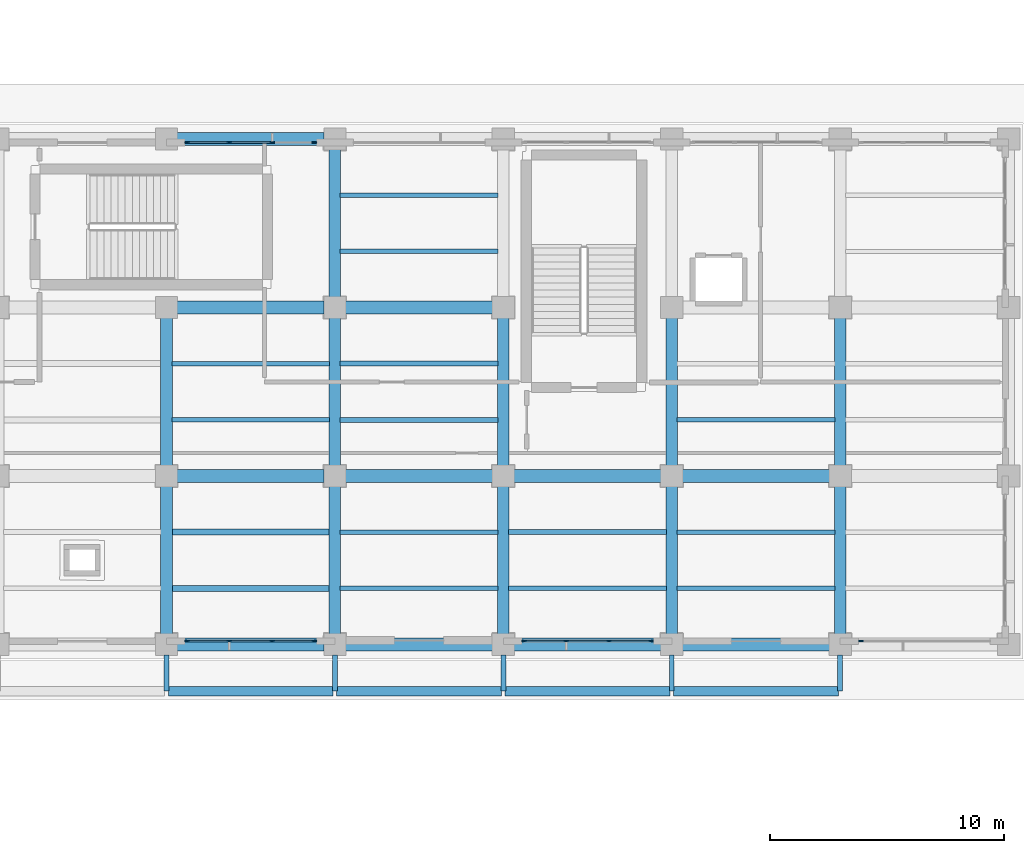
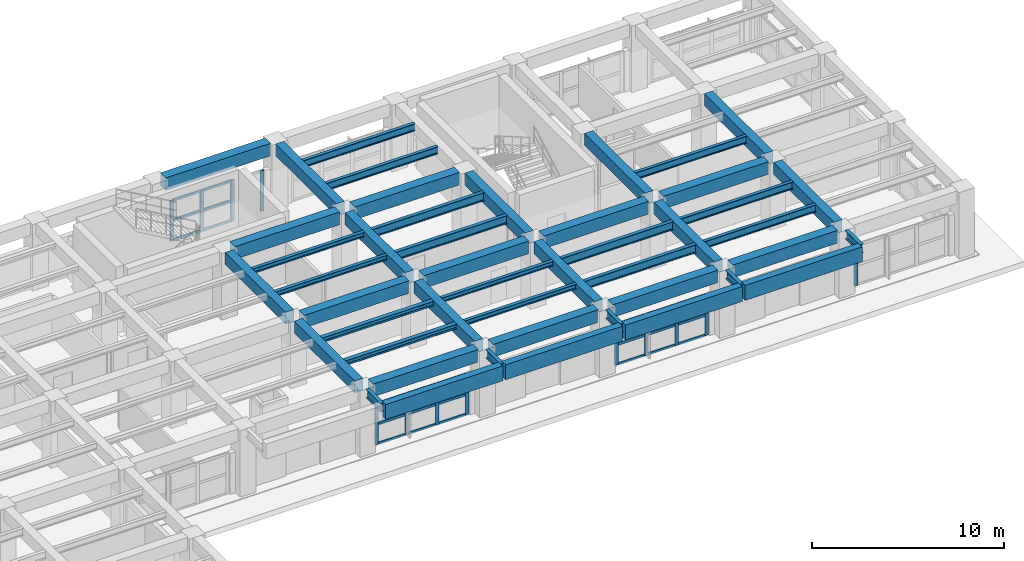
# One storey, part 26 of 64: 46 beams, 37 members, 4 elements without a shape of their own.
"""IFC4 building model written with IfcOpenShell, lengths in metres."""

from ifc_helpers import new_model, si_unit, direction, frame, origin, origin_2d, place, context, subcontext, project, spatial, rectangle, i_section, extrude, material, layer, layer_set, material_profile, profile_set, type_object, element, aggregate, save


model = new_model("IFC4")

# Units and contexts
model_context = context("Model", 3, precision=1e-05, world=origin(), true_north=direction((0.0, 1.0)))
body_context = subcontext(model_context, "Body", "Model", "MODEL_VIEW")
ifc_project = project(units=[si_unit("LENGTHUNIT", "METRE"), si_unit("AREAUNIT", "SQUARE_METRE"), si_unit("VOLUMEUNIT", "CUBIC_METRE"), si_unit("PLANEANGLEUNIT", "RADIAN"), si_unit("MASSUNIT", "GRAM", prefix="KILO")], contexts=[model_context])

# Site, building, storey
site_placement = place(None, origin())
site = spatial("IfcSite", under=ifc_project, at=site_placement, CompositionType="ELEMENT")
building_placement = place(site_placement, origin())
building = spatial("IfcBuilding", under=site, at=building_placement, Name="Solenvale Faculty of Natural Sciences", CompositionType="ELEMENT")
storey_placement = place(building_placement, origin())
storey = spatial("IfcBuildingStorey", under=building, at=storey_placement, Name="L00", CompositionType="ELEMENT", Elevation=0.0)

# Beams
ifc_material_1 = material(Name="Concrete 40 MPa", Category="concrete")
ifc_material_profile_1 = material_profile(ifc_material_1, rectangle(XDim=0.5, YDim=0.75, at=origin_2d()), Name="RC-BM-500x750")
ifc_profile_set_1 = profile_set([ifc_material_profile_1], Name="Concrete 40 MPa")
beam_type_1 = type_object("IfcBeamType", Name="BM-RC-500x750", PredefinedType="BEAM", material=ifc_profile_set_1)
for number, where, z_axis, x_axis, name in (
    (1, (129.60009765625, 36.455078125, 3.844970703125), (0.0, 1.0, 0.0), (-1.0, 0.0, 0.0), "L00 Y-Girder X129.6 (36.0..43.2)"),
    (2, (129.60009765625, 43.655029296875, 3.844970703125), (0.0, 1.0, 0.0), (-1.0, 0.0, 0.0), "L00 Y-Girder X129.6 (43.2..50.4)"),
    (3, (136.800048828125, 36.455078125, 3.844970703125), (0.0, 1.0, 0.0), (-1.0, 0.0, 0.0), "L00 Y-Girder X136.8 (36.0..43.2)"),
    (4, (136.800048828125, 43.655029296875, 3.844970703125), (0.0, 1.0, 0.0), (-1.0, 0.0, 0.0), "L00 Y-Girder X136.8 (43.2..50.4)"),
    (5, (136.800048828125, 50.85498046875, 3.844970703125), (0.0, 1.0, 0.0), (-1.0, 0.0, 0.0), "L00 Y-Girder X136.8 (50.4..57.6)"),
    (6, (144.0, 36.455078125, 3.844970703125), (0.0, 1.0, 0.0), (-1.0, 0.0, 0.0), "L00 Y-Girder X144.0 (36.0..43.2)"),
    (7, (144.0, 43.655029296875, 3.844970703125), (0.0, 1.0, 0.0), (-1.0, 0.0, 0.0), "L00 Y-Girder X144.0 (43.2..50.4)"),
    (8, (151.199951171875, 36.455078125, 3.844970703125), (0.0, 1.0, 0.0), (-1.0, 0.0, 0.0), "L00 Y-Girder X151.2 (36.0..43.2)"),
    (9, (151.199951171875, 43.655029296875, 3.844970703125), (0.0, 1.0, 0.0), (-1.0, 0.0, 0.0), "L00 Y-Girder X151.2 (43.2..50.4)"),
    (10, (158.39990234375, 36.455078125, 3.844970703125), (0.0, 1.0, 0.0), (-1.0, 0.0, 0.0), "L00 Y-Girder X158.4 (36.0..43.2)"),
    (11, (158.39990234375, 43.655029296875, 3.844970703125), (0.0, 1.0, 0.0), (-1.0, 0.0, 0.0), "L00 Y-Girder X158.4 (43.2..50.4)"),
):
    element("IfcBeam", number, at=place(storey_placement, frame(where, z_axis=z_axis, x_axis=x_axis)), inside=storey, type_object=beam_type_1, Name=name, PredefinedType="BEAM", context=body_context, shape_type="SweptSolid", body=[
        extrude(rectangle(XDim=0.5, YDim=0.75, at=origin_2d()), origin(), (0.0, 0.0, 1.0), 6.2900390625),
    ])
ifc_material_profile_2 = material_profile(ifc_material_1, rectangle(XDim=0.550048828125, YDim=0.800048828125, at=origin_2d()), Name="RC-BM-550x800")
ifc_profile_set_2 = profile_set([ifc_material_profile_2], Name="Concrete 40 MPa")
beam_type_2 = type_object("IfcBeamType", Name="BM-RC-550x800", PredefinedType="BEAM", material=ifc_profile_set_2)
for number, where, z_axis, x_axis, name in (
    (12, (130.054931640625, 36.0, 3.820068359375), (1.0, 0.0, 0.0), (0.0, 1.0, 0.0), "L00 X-Girder Y36.0 (129.6..136.8)"),
    (13, (137.2548828125, 36.0, 3.820068359375), (1.0, 0.0, 0.0), (0.0, 1.0, 0.0), "L00 X-Girder Y36.0 (136.8..144.0)"),
    (14, (144.455078125, 36.0, 3.820068359375), (1.0, 0.0, 0.0), (0.0, 1.0, 0.0), "L00 X-Girder Y36.0 (144.0..151.2)"),
    (15, (151.655029296875, 36.0, 3.820068359375), (1.0, 0.0, 0.0), (0.0, 1.0, 0.0), "L00 X-Girder Y36.0 (151.2..158.4)"),
    (16, (130.054931640625, 43.199951171875, 3.820068359375), (1.0, 0.0, 0.0), (0.0, 1.0, 0.0), "L00 X-Girder Y43.2 (129.6..136.8)"),
    (17, (137.2548828125, 43.199951171875, 3.820068359375), (1.0, 0.0, 0.0), (0.0, 1.0, 0.0), "L00 X-Girder Y43.2 (136.8..144.0)"),
    (18, (144.455078125, 43.199951171875, 3.820068359375), (1.0, 0.0, 0.0), (0.0, 1.0, 0.0), "L00 X-Girder Y43.2 (144.0..151.2)"),
    (19, (151.655029296875, 43.199951171875, 3.820068359375), (1.0, 0.0, 0.0), (0.0, 1.0, 0.0), "L00 X-Girder Y43.2 (151.2..158.4)"),
    (20, (130.054931640625, 50.39990234375, 3.820068359375), (1.0, 0.0, 0.0), (0.0, 1.0, 0.0), "L00 X-Girder Y50.4 (129.6..136.8)"),
    (21, (137.2548828125, 50.39990234375, 3.820068359375), (1.0, 0.0, 0.0), (0.0, 1.0, 0.0), "L00 X-Girder Y50.4 (136.8..144.0)"),
    (22, (130.054931640625, 57.60009765625, 3.820068359375), (1.0, 0.0, 0.0), (0.0, 1.0, 0.0), "L00 X-Girder Y57.6 (129.6..136.8)"),
):
    element("IfcBeam", number, at=place(storey_placement, frame(where, z_axis=z_axis, x_axis=x_axis)), inside=storey, type_object=beam_type_2, Name=name, PredefinedType="BEAM", context=body_context, shape_type="SweptSolid", body=[
        extrude(rectangle(XDim=0.550048828125, YDim=0.800048828125, at=origin_2d()), origin(), (0.0, 0.0, 1.0), 6.2900390625),
    ])
ifc_material_2 = material(Name="Architectural bronze concrete 40 MPa", Category="concrete")
ifc_material_profile_3 = material_profile(ifc_material_2, rectangle(XDim=0.39990234375, YDim=0.949951171875, at=origin_2d()), Name="RC-SPN-400x950")
ifc_profile_set_3 = profile_set([ifc_material_profile_3], Name="Architectural bronze concrete 40 MPa")
beam_type_3 = type_object("IfcBeamType", Name="BM-SPN-BRZ-950", PredefinedType="SPANDREL", material=ifc_profile_set_3)
for number, where, z_axis, x_axis, name in (
    (23, (129.679931640625, 34.0, 3.7451171875), (1.0, 0.0, 0.0), (0.0, 1.0, 0.0), "L01 Commons Sliding-Tray South Bronze Fascia 2"),
    (24, (136.8798828125, 34.0, 3.7451171875), (1.0, 0.0, 0.0), (0.0, 1.0, 0.0), "L01 Commons Sliding-Tray South Bronze Fascia 3"),
    (25, (144.080078125, 34.0, 3.7451171875), (1.0, 0.0, 0.0), (0.0, 1.0, 0.0), "L01 Commons Sliding-Tray South Bronze Fascia 4"),
    (26, (151.280029296875, 34.0, 3.7451171875), (1.0, 0.0, 0.0), (0.0, 1.0, 0.0), "L01 Commons Sliding-Tray South Bronze Fascia 5"),
):
    element("IfcBeam", number, at=place(storey_placement, frame(where, z_axis=z_axis, x_axis=x_axis)), inside=storey, type_object=beam_type_3, Name=name, PredefinedType="SPANDREL", context=body_context, shape_type="SweptSolid", body=[
        extrude(rectangle(XDim=0.39990234375, YDim=0.949951171875, at=origin_2d()), origin(), (0.0, 0.0, 1.0), 7.0400390625),
    ])
ifc_material_3 = material(Name="Steel S355", Category="steel")
ifc_material_profile_4 = material_profile(ifc_material_3, i_section(OverallWidth=0.202880859375, OverallDepth=0.302978515625, WebThickness=0.007568359375, FlangeThickness=0.01318359375, FilletRadius=0.014892578125, at=origin_2d()), Name="W310x60")
ifc_profile_set_4 = profile_set([ifc_material_profile_4], Name="Steel S355")
beam_type_4 = type_object("IfcBeamType", Name="BM-STL-W310x60", PredefinedType="JOIST", material=ifc_profile_set_4)
for number, where, z_axis, x_axis, name in (
    (27, (129.830078125, 45.60009765625, 4.068603515625), (1.0, 0.0, 0.0), (0.0, 1.0, 0.0), "L00 Composite Floor Joist (19,7).1"),
    (28, (129.830078125, 48.0, 4.068603515625), (1.0, 0.0, 0.0), (0.0, 1.0, 0.0), "L00 Composite Floor Joist (19,7).2"),
    (29, (137.030029296875, 38.39990234375, 4.068603515625), (1.0, 0.0, 0.0), (0.0, 1.0, 0.0), "L00 Composite Floor Joist (20,6).1"),
    (30, (137.030029296875, 40.800048828125, 4.068603515625), (1.0, 0.0, 0.0), (0.0, 1.0, 0.0), "L00 Composite Floor Joist (20,6).2"),
):
    element("IfcBeam", number, at=place(storey_placement, frame(where, z_axis=z_axis, x_axis=x_axis)), inside=storey, type_object=beam_type_4, Name=name, PredefinedType="JOIST", context=body_context, shape_type="SweptSolid", body=[
        extrude(i_section(OverallWidth=0.202880859375, OverallDepth=0.302978515625, WebThickness=0.007568359375, FlangeThickness=0.01318359375, FilletRadius=0.014892578125, at=origin_2d()), origin(), (0.0, 0.0, 1.0), 6.739990234375),
    ])
ifc_material_profile_5 = material_profile(ifc_material_3, i_section(OverallWidth=0.25390625, OverallDepth=0.305908203125, WebThickness=0.0087890625, FlangeThickness=0.0146484375, FilletRadius=0.014892578125, at=origin_2d()), Name="W310x79")
ifc_profile_set_5 = profile_set([ifc_material_profile_5], Name="Steel S355")
beam_type_5 = type_object("IfcBeamType", Name="BM-STL-W310x79", PredefinedType="JOIST", material=ifc_profile_set_5)
for number, where, z_axis, x_axis, name in (
    (31, (129.830078125, 38.39990234375, 4.06689453125), (1.0, 0.0, 0.0), (0.0, 1.0, 0.0), "L00 Composite Floor Joist (19,6).1"),
    (32, (129.830078125, 40.800048828125, 4.06689453125), (1.0, 0.0, 0.0), (0.0, 1.0, 0.0), "L00 Composite Floor Joist (19,6).2"),
):
    element("IfcBeam", number, at=place(storey_placement, frame(where, z_axis=z_axis, x_axis=x_axis)), inside=storey, type_object=beam_type_5, Name=name, PredefinedType="JOIST", context=body_context, shape_type="SweptSolid", body=[
        extrude(i_section(OverallWidth=0.25390625, OverallDepth=0.305908203125, WebThickness=0.0087890625, FlangeThickness=0.0146484375, FilletRadius=0.014892578125, at=origin_2d()), origin(), (0.0, 0.0, 1.0), 6.739990234375),
    ])
ifc_material_profile_6 = material_profile(ifc_material_3, i_section(OverallWidth=0.194091796875, OverallDepth=0.468994140625, WebThickness=0.0126953125, FlangeThickness=0.0205078125, FilletRadius=0.01806640625, at=origin_2d()), Name="W460x106")
ifc_profile_set_6 = profile_set([ifc_material_profile_6], Name="Steel S355")
beam_type_6 = type_object("IfcBeamType", Name="BM-STL-W460x106", PredefinedType="JOIST", material=ifc_profile_set_6)
for number, where, z_axis, x_axis, name in (
    (33, (137.030029296875, 52.800048828125, 3.985595703125), (1.0, 0.0, 0.0), (0.0, 1.0, 0.0), "L00 Composite Floor Joist (20,8).1"),
    (34, (137.030029296875, 55.199951171875, 3.985595703125), (1.0, 0.0, 0.0), (0.0, 1.0, 0.0), "L00 Composite Floor Joist (20,8).2"),
    (35, (151.429931640625, 38.39990234375, 3.985595703125), (1.0, 0.0, 0.0), (0.0, 1.0, 0.0), "L00 Composite Floor Joist (22,6).1"),
    (36, (151.429931640625, 40.800048828125, 3.985595703125), (1.0, 0.0, 0.0), (0.0, 1.0, 0.0), "L00 Composite Floor Joist (22,6).2"),
):
    element("IfcBeam", number, at=place(storey_placement, frame(where, z_axis=z_axis, x_axis=x_axis)), inside=storey, type_object=beam_type_6, Name=name, PredefinedType="JOIST", context=body_context, shape_type="SweptSolid", body=[
        extrude(i_section(OverallWidth=0.194091796875, OverallDepth=0.468994140625, WebThickness=0.0126953125, FlangeThickness=0.0205078125, FilletRadius=0.01806640625, at=origin_2d()), origin(), (0.0, 0.0, 1.0), 6.739990234375),
    ])
ifc_material_profile_7 = material_profile(ifc_material_3, i_section(OverallWidth=0.19091796875, OverallDepth=0.4599609375, WebThickness=0.010009765625, FlangeThickness=0.01611328125, FilletRadius=0.01806640625, at=origin_2d()), Name="W460x82")
ifc_profile_set_7 = profile_set([ifc_material_profile_7], Name="Steel S355")
beam_type_7 = type_object("IfcBeamType", Name="BM-STL-W460x82", PredefinedType="JOIST", material=ifc_profile_set_7)
beam_placement = place(storey_placement, frame((151.429931640625, 45.60009765625, 3.989990234375), z_axis=(1.0, 0.0, 0.0), x_axis=(0.0, 1.0, 0.0)))
element("IfcBeam", 37, at=beam_placement, inside=storey, type_object=beam_type_7, Name="L00 Composite Floor Joist (22,7).1", PredefinedType="JOIST", context=body_context, shape_type="SweptSolid", body=[
    extrude(i_section(OverallWidth=0.19091796875, OverallDepth=0.4599609375, WebThickness=0.010009765625, FlangeThickness=0.01611328125, FilletRadius=0.01806640625, at=origin_2d()), origin(), (0.0, 0.0, 1.0), 6.739990234375),
])
ifc_material_profile_8 = material_profile(ifc_material_3, i_section(OverallWidth=0.2119140625, OverallDepth=0.5439453125, WebThickness=0.01318359375, FlangeThickness=0.021240234375, FilletRadius=0.01904296875, at=origin_2d()), Name="W530x123")
ifc_profile_set_8 = profile_set([ifc_material_profile_8], Name="Steel S355")
beam_type_8 = type_object("IfcBeamType", Name="BM-STL-W530x123", PredefinedType="BEAM", material=ifc_profile_set_8)
for number, where, z_axis, x_axis, name in (
    (38, (129.60009765625, 35.544921875, 3.947998046875), (0.0, -1.0, 0.0), (1.0, 0.0, 0.0), "L00 V2 Cantilever Tray Girder X129.6"),
    (39, (136.800048828125, 35.544921875, 3.947998046875), (0.0, -1.0, 0.0), (1.0, 0.0, 0.0), "L00 V2 Cantilever Tray Girder X136.8"),
    (40, (144.0, 35.544921875, 3.947998046875), (0.0, -1.0, 0.0), (1.0, 0.0, 0.0), "L00 V2 Cantilever Tray Girder X144.0"),
    (41, (151.199951171875, 35.544921875, 3.947998046875), (0.0, -1.0, 0.0), (1.0, 0.0, 0.0), "L00 V2 Cantilever Tray Girder X151.2"),
    (42, (158.39990234375, 35.544921875, 3.947998046875), (0.0, -1.0, 0.0), (1.0, 0.0, 0.0), "L00 V2 Cantilever Tray Girder X158.4"),
):
    element("IfcBeam", number, at=place(storey_placement, frame(where, z_axis=z_axis, x_axis=x_axis)), inside=storey, type_object=beam_type_8, Name=name, PredefinedType="BEAM", context=body_context, shape_type="SweptSolid", body=[
        extrude(i_section(OverallWidth=0.2119140625, OverallDepth=0.5439453125, WebThickness=0.01318359375, FlangeThickness=0.021240234375, FilletRadius=0.01904296875, at=origin_2d()), origin(), (0.0, 0.0, 1.0), 1.544921875),
    ])
ifc_material_profile_9 = material_profile(ifc_material_3, i_section(OverallWidth=0.208984375, OverallDepth=0.532958984375, WebThickness=0.01025390625, FlangeThickness=0.015625, FilletRadius=0.01904296875, at=origin_2d()), Name="W530x92")
ifc_profile_set_9 = profile_set([ifc_material_profile_9], Name="Steel S355")
beam_type_9 = type_object("IfcBeamType", Name="BM-STL-W530x92", PredefinedType="JOIST", material=ifc_profile_set_9)
for number, where, z_axis, x_axis, name in (
    (43, (137.030029296875, 45.60009765625, 3.95361328125), (1.0, 0.0, 0.0), (0.0, 1.0, 0.0), "L00 Composite Floor Joist (20,7).1"),
    (44, (137.030029296875, 48.0, 3.95361328125), (1.0, 0.0, 0.0), (0.0, 1.0, 0.0), "L00 Composite Floor Joist (20,7).2"),
    (45, (144.22998046875, 38.39990234375, 3.95361328125), (1.0, 0.0, 0.0), (0.0, 1.0, 0.0), "L00 Composite Floor Joist (21,6).1"),
    (46, (144.22998046875, 40.800048828125, 3.95361328125), (1.0, 0.0, 0.0), (0.0, 1.0, 0.0), "L00 Composite Floor Joist (21,6).2"),
):
    element("IfcBeam", number, at=place(storey_placement, frame(where, z_axis=z_axis, x_axis=x_axis)), inside=storey, type_object=beam_type_9, Name=name, PredefinedType="JOIST", context=body_context, shape_type="SweptSolid", body=[
        extrude(i_section(OverallWidth=0.208984375, OverallDepth=0.532958984375, WebThickness=0.01025390625, FlangeThickness=0.015625, FilletRadius=0.01904296875, at=origin_2d()), origin(), (0.0, 0.0, 1.0), 6.739990234375),
    ])

# Curtain wall, members
ifc_material_4 = material(Name="Anodised bronze aluminium", Category="aluminium")
ifc_layer = layer(ifc_material_4, 0.199951171875)
ifc_layer_set = layer_set([ifc_layer], Name="Anodised bronze aluminium")
curtain_wall_type = type_object("IfcCurtainWallType", Name="CW-COM-FIN", PredefinedType="USERDEFINED", material=ifc_layer_set)
curtain_wall_1_placement = place(storey_placement, origin())
curtain_wall_1 = element("IfcCurtainWall", 47, at=curtain_wall_1_placement, inside=storey, type_object=curtain_wall_type, Name="L00 Curtain Wall CW-L00-P1-E5-B3", ObjectType="UNITISED CURTAIN WALL", PredefinedType="USERDEFINED")
ifc_material_profile_10 = material_profile(ifc_material_4, rectangle(XDim=0.074951171875, YDim=0.2099609375, at=origin_2d()), Name="ALU-MUL-75x210")
ifc_profile_set_10 = profile_set([ifc_material_profile_10], Name="Anodised bronze aluminium")
member_type_1 = type_object("IfcMemberType", Name="CWM-ALU-75x210", PredefinedType="MULLION", material=ifc_profile_set_10)
member_1_placement = place(storey_placement, frame((130.487548828125, 36.142578125, 0.0), z_axis=(0.0, 0.0, 1.0), x_axis=(0.0, 1.0, 0.0)))
member_1 = element("IfcMember", 48, at=member_1_placement, type_object=member_type_1, Name="CW-03 mullion 1", PredefinedType="MULLION", context=body_context, shape_type="SweptSolid", body=[
    extrude(rectangle(XDim=0.074951171875, YDim=0.2099609375, at=origin_2d()), origin(), (0.0, 0.0, 1.0), 2.60009765625),
])
member_2_placement = place(storey_placement, frame((132.283447265625, 36.142578125, 0.0), z_axis=(0.0, 0.0, 1.0), x_axis=(0.0, 1.0, 0.0)))
member_2 = element("IfcMember", 49, at=member_2_placement, type_object=member_type_1, Name="CW-03 mullion 2", PredefinedType="MULLION", context=body_context, shape_type="SweptSolid", body=[
    extrude(rectangle(XDim=0.074951171875, YDim=0.2099609375, at=origin_2d()), origin(), (0.0, 0.0, 1.0), 2.60009765625),
])
member_3_placement = place(storey_placement, frame((134.11669921875, 36.142578125, 0.0), z_axis=(0.0, 0.0, 1.0), x_axis=(0.0, 1.0, 0.0)))
member_3 = element("IfcMember", 50, at=member_3_placement, type_object=member_type_1, Name="CW-03 mullion 3", PredefinedType="MULLION", context=body_context, shape_type="SweptSolid", body=[
    extrude(rectangle(XDim=0.074951171875, YDim=0.2099609375, at=origin_2d()), origin(), (0.0, 0.0, 1.0), 2.60009765625),
])
member_4_placement = place(storey_placement, frame((135.91259765625, 36.142578125, 0.0), z_axis=(0.0, 0.0, 1.0), x_axis=(0.0, 1.0, 0.0)))
member_4 = element("IfcMember", 51, at=member_4_placement, type_object=member_type_1, Name="CW-03 mullion 4", PredefinedType="MULLION", context=body_context, shape_type="SweptSolid", body=[
    extrude(rectangle(XDim=0.074951171875, YDim=0.2099609375, at=origin_2d()), origin(), (0.0, 0.0, 1.0), 2.60009765625),
])

curtain_wall_2_placement = place(storey_placement, origin())
curtain_wall_2 = element("IfcCurtainWall", 52, at=curtain_wall_2_placement, inside=storey, type_object=curtain_wall_type, Name="L00 Curtain Wall CW-L00-P1-E5-B5", ObjectType="UNITISED CURTAIN WALL", PredefinedType="USERDEFINED")
member_5_placement = place(storey_placement, frame((144.887451171875, 36.142578125, 0.0), z_axis=(0.0, 0.0, 1.0), x_axis=(0.0, 1.0, 0.0)))
member_5 = element("IfcMember", 53, at=member_5_placement, type_object=member_type_1, Name="CW-03 mullion 1", PredefinedType="MULLION", context=body_context, shape_type="SweptSolid", body=[
    extrude(rectangle(XDim=0.074951171875, YDim=0.2099609375, at=origin_2d()), origin(), (0.0, 0.0, 1.0), 2.60009765625),
])
member_6_placement = place(storey_placement, frame((146.683349609375, 36.142578125, 0.0), z_axis=(0.0, 0.0, 1.0), x_axis=(0.0, 1.0, 0.0)))
member_6 = element("IfcMember", 54, at=member_6_placement, type_object=member_type_1, Name="CW-03 mullion 2", PredefinedType="MULLION", context=body_context, shape_type="SweptSolid", body=[
    extrude(rectangle(XDim=0.074951171875, YDim=0.2099609375, at=origin_2d()), origin(), (0.0, 0.0, 1.0), 2.60009765625),
])
member_7_placement = place(storey_placement, frame((148.5166015625, 36.142578125, 0.0), z_axis=(0.0, 0.0, 1.0), x_axis=(0.0, 1.0, 0.0)))
member_7 = element("IfcMember", 55, at=member_7_placement, type_object=member_type_1, Name="CW-03 mullion 3", PredefinedType="MULLION", context=body_context, shape_type="SweptSolid", body=[
    extrude(rectangle(XDim=0.074951171875, YDim=0.2099609375, at=origin_2d()), origin(), (0.0, 0.0, 1.0), 2.60009765625),
])
member_8_placement = place(storey_placement, frame((150.3125, 36.142578125, 0.0), z_axis=(0.0, 0.0, 1.0), x_axis=(0.0, 1.0, 0.0)))
member_8 = element("IfcMember", 56, at=member_8_placement, type_object=member_type_1, Name="CW-03 mullion 4", PredefinedType="MULLION", context=body_context, shape_type="SweptSolid", body=[
    extrude(rectangle(XDim=0.074951171875, YDim=0.2099609375, at=origin_2d()), origin(), (0.0, 0.0, 1.0), 2.60009765625),
])

# Curtain wall, member
curtain_wall_3_placement = place(storey_placement, origin())
curtain_wall_3 = element("IfcCurtainWall", 57, at=curtain_wall_3_placement, inside=storey, type_object=curtain_wall_type, Name="L00 Curtain Wall CW-L00-P1-E5-B7", ObjectType="UNITISED CURTAIN WALL", PredefinedType="USERDEFINED")
member_9_placement = place(storey_placement, frame((159.28759765625, 36.142578125, 0.0), z_axis=(0.0, 0.0, 1.0), x_axis=(0.0, 1.0, 0.0)))
member_9 = element("IfcMember", 58, at=member_9_placement, type_object=member_type_1, Name="CW-03 mullion 1", PredefinedType="MULLION", context=body_context, shape_type="SweptSolid", body=[
    extrude(rectangle(XDim=0.074951171875, YDim=0.2099609375, at=origin_2d()), origin(), (0.0, 0.0, 1.0), 2.60009765625),
])
aggregate(curtain_wall_3, [member_9])

# Curtain wall, members
curtain_wall_4_placement = place(storey_placement, origin())
curtain_wall_4 = element("IfcCurtainWall", 59, at=curtain_wall_4_placement, inside=storey, type_object=curtain_wall_type, Name="L00 Curtain Wall CW-L00-P1-E7-B5", ObjectType="UNITISED CURTAIN WALL", PredefinedType="USERDEFINED")
member_10_placement = place(storey_placement, frame((135.91259765625, 57.45751953125, 0.0), z_axis=(0.0, 0.0, 1.0), x_axis=(0.0, -1.0, 0.0)))
member_10 = element("IfcMember", 60, at=member_10_placement, type_object=member_type_1, Name="CW-03 mullion 1", PredefinedType="MULLION", context=body_context, shape_type="SweptSolid", body=[
    extrude(rectangle(XDim=0.074951171875, YDim=0.2099609375, at=origin_2d()), origin(), (0.0, 0.0, 1.0), 2.60009765625),
])
member_11_placement = place(storey_placement, frame((134.11669921875, 57.45751953125, 0.0), z_axis=(0.0, 0.0, 1.0), x_axis=(0.0, -1.0, 0.0)))
member_11 = element("IfcMember", 61, at=member_11_placement, type_object=member_type_1, Name="CW-03 mullion 2", PredefinedType="MULLION", context=body_context, shape_type="SweptSolid", body=[
    extrude(rectangle(XDim=0.074951171875, YDim=0.2099609375, at=origin_2d()), origin(), (0.0, 0.0, 1.0), 2.60009765625),
])
member_12_placement = place(storey_placement, frame((132.283447265625, 57.45751953125, 0.0), z_axis=(0.0, 0.0, 1.0), x_axis=(0.0, -1.0, 0.0)))
member_12 = element("IfcMember", 62, at=member_12_placement, type_object=member_type_1, Name="CW-03 mullion 3", PredefinedType="MULLION", context=body_context, shape_type="SweptSolid", body=[
    extrude(rectangle(XDim=0.074951171875, YDim=0.2099609375, at=origin_2d()), origin(), (0.0, 0.0, 1.0), 2.60009765625),
])
member_13_placement = place(storey_placement, frame((130.487548828125, 57.45751953125, 0.0), z_axis=(0.0, 0.0, 1.0), x_axis=(0.0, -1.0, 0.0)))
member_13 = element("IfcMember", 63, at=member_13_placement, type_object=member_type_1, Name="CW-03 mullion 4", PredefinedType="MULLION", context=body_context, shape_type="SweptSolid", body=[
    extrude(rectangle(XDim=0.074951171875, YDim=0.2099609375, at=origin_2d()), origin(), (0.0, 0.0, 1.0), 2.60009765625),
])

# Member
ifc_material_profile_11 = material_profile(ifc_material_4, rectangle(XDim=0.074951171875, YDim=0.155029296875, at=origin_2d()), Name="ALU-TRN-75x155")
ifc_profile_set_11 = profile_set([ifc_material_profile_11], Name="Anodised bronze aluminium")
member_type_2 = type_object("IfcMemberType", Name="CWT-ALU-75x155", PredefinedType="USERDEFINED", material=ifc_profile_set_11)
member_14_placement = place(storey_placement, frame((130.52490234375, 36.142578125, 0.03759765625), z_axis=(1.0, 0.0, 0.0), x_axis=(0.0, 1.0, 0.0)))
member_14 = element("IfcMember", 64, at=member_14_placement, type_object=member_type_2, Name="CW-03 transom 1.1", ObjectType="TRANSOM", PredefinedType="USERDEFINED", context=body_context, shape_type="SweptSolid", body=[
    extrude(rectangle(XDim=0.074951171875, YDim=0.155029296875, at=origin_2d()), origin(), (0.0, 0.0, 1.0), 1.720947265625),
])

member_15_placement = place(storey_placement, frame((130.52490234375, 36.142578125, 1.300048828125), z_axis=(1.0, 0.0, 0.0), x_axis=(0.0, 1.0, 0.0)))
member_15 = element("IfcMember", 65, at=member_15_placement, type_object=member_type_2, Name="CW-03 transom 1.2", ObjectType="TRANSOM", PredefinedType="USERDEFINED", context=body_context, shape_type="SweptSolid", body=[
    extrude(rectangle(XDim=0.074951171875, YDim=0.155029296875, at=origin_2d()), origin(), (0.0, 0.0, 1.0), 1.720947265625),
])

member_16_placement = place(storey_placement, frame((130.52490234375, 36.142578125, 2.5625), z_axis=(1.0, 0.0, 0.0), x_axis=(0.0, 1.0, 0.0)))
member_16 = element("IfcMember", 66, at=member_16_placement, type_object=member_type_2, Name="CW-03 transom 1.3", ObjectType="TRANSOM", PredefinedType="USERDEFINED", context=body_context, shape_type="SweptSolid", body=[
    extrude(rectangle(XDim=0.074951171875, YDim=0.155029296875, at=origin_2d()), origin(), (0.0, 0.0, 1.0), 1.720947265625),
])

member_17_placement = place(storey_placement, frame((132.32080078125, 36.142578125, 0.03759765625), z_axis=(1.0, 0.0, 0.0), x_axis=(0.0, 1.0, 0.0)))
member_17 = element("IfcMember", 67, at=member_17_placement, type_object=member_type_2, Name="CW-03 transom 2.1", ObjectType="TRANSOM", PredefinedType="USERDEFINED", context=body_context, shape_type="SweptSolid", body=[
    extrude(rectangle(XDim=0.074951171875, YDim=0.155029296875, at=origin_2d()), origin(), (0.0, 0.0, 1.0), 1.75830078125),
])

member_18_placement = place(storey_placement, frame((132.32080078125, 36.142578125, 1.300048828125), z_axis=(1.0, 0.0, 0.0), x_axis=(0.0, 1.0, 0.0)))
member_18 = element("IfcMember", 68, at=member_18_placement, type_object=member_type_2, Name="CW-03 transom 2.2", ObjectType="TRANSOM", PredefinedType="USERDEFINED", context=body_context, shape_type="SweptSolid", body=[
    extrude(rectangle(XDim=0.074951171875, YDim=0.155029296875, at=origin_2d()), origin(), (0.0, 0.0, 1.0), 1.75830078125),
])

member_19_placement = place(storey_placement, frame((132.32080078125, 36.142578125, 2.5625), z_axis=(1.0, 0.0, 0.0), x_axis=(0.0, 1.0, 0.0)))
member_19 = element("IfcMember", 69, at=member_19_placement, type_object=member_type_2, Name="CW-03 transom 2.3", ObjectType="TRANSOM", PredefinedType="USERDEFINED", context=body_context, shape_type="SweptSolid", body=[
    extrude(rectangle(XDim=0.074951171875, YDim=0.155029296875, at=origin_2d()), origin(), (0.0, 0.0, 1.0), 1.75830078125),
])

member_20_placement = place(storey_placement, frame((134.154052734375, 36.142578125, 0.03759765625), z_axis=(1.0, 0.0, 0.0), x_axis=(0.0, 1.0, 0.0)))
member_20 = element("IfcMember", 70, at=member_20_placement, type_object=member_type_2, Name="CW-03 transom 3.1", ObjectType="TRANSOM", PredefinedType="USERDEFINED", context=body_context, shape_type="SweptSolid", body=[
    extrude(rectangle(XDim=0.074951171875, YDim=0.155029296875, at=origin_2d()), origin(), (0.0, 0.0, 1.0), 1.720947265625),
])

member_21_placement = place(storey_placement, frame((134.154052734375, 36.142578125, 1.300048828125), z_axis=(1.0, 0.0, 0.0), x_axis=(0.0, 1.0, 0.0)))
member_21 = element("IfcMember", 71, at=member_21_placement, type_object=member_type_2, Name="CW-03 transom 3.2", ObjectType="TRANSOM", PredefinedType="USERDEFINED", context=body_context, shape_type="SweptSolid", body=[
    extrude(rectangle(XDim=0.074951171875, YDim=0.155029296875, at=origin_2d()), origin(), (0.0, 0.0, 1.0), 1.720947265625),
])

member_22_placement = place(storey_placement, frame((134.154052734375, 36.142578125, 2.5625), z_axis=(1.0, 0.0, 0.0), x_axis=(0.0, 1.0, 0.0)))
member_22 = element("IfcMember", 72, at=member_22_placement, type_object=member_type_2, Name="CW-03 transom 3.3", ObjectType="TRANSOM", PredefinedType="USERDEFINED", context=body_context, shape_type="SweptSolid", body=[
    extrude(rectangle(XDim=0.074951171875, YDim=0.155029296875, at=origin_2d()), origin(), (0.0, 0.0, 1.0), 1.720947265625),
])

aggregate(curtain_wall_1, [member_1, member_2, member_3, member_4, member_14, member_15, member_16, member_17, member_18, member_19, member_20, member_21, member_22])

member_23_placement = place(storey_placement, frame((144.925048828125, 36.142578125, 0.03759765625), z_axis=(1.0, 0.0, 0.0), x_axis=(0.0, 1.0, 0.0)))
member_23 = element("IfcMember", 73, at=member_23_placement, type_object=member_type_2, Name="CW-03 transom 1.1", ObjectType="TRANSOM", PredefinedType="USERDEFINED", context=body_context, shape_type="SweptSolid", body=[
    extrude(rectangle(XDim=0.074951171875, YDim=0.155029296875, at=origin_2d()), origin(), (0.0, 0.0, 1.0), 1.720703125),
])

member_24_placement = place(storey_placement, frame((144.925048828125, 36.142578125, 1.300048828125), z_axis=(1.0, 0.0, 0.0), x_axis=(0.0, 1.0, 0.0)))
member_24 = element("IfcMember", 74, at=member_24_placement, type_object=member_type_2, Name="CW-03 transom 1.2", ObjectType="TRANSOM", PredefinedType="USERDEFINED", context=body_context, shape_type="SweptSolid", body=[
    extrude(rectangle(XDim=0.074951171875, YDim=0.155029296875, at=origin_2d()), origin(), (0.0, 0.0, 1.0), 1.720703125),
])

member_25_placement = place(storey_placement, frame((144.925048828125, 36.142578125, 2.5625), z_axis=(1.0, 0.0, 0.0), x_axis=(0.0, 1.0, 0.0)))
member_25 = element("IfcMember", 75, at=member_25_placement, type_object=member_type_2, Name="CW-03 transom 1.3", ObjectType="TRANSOM", PredefinedType="USERDEFINED", context=body_context, shape_type="SweptSolid", body=[
    extrude(rectangle(XDim=0.074951171875, YDim=0.155029296875, at=origin_2d()), origin(), (0.0, 0.0, 1.0), 1.720703125),
])

member_26_placement = place(storey_placement, frame((146.720947265625, 36.142578125, 0.03759765625), z_axis=(1.0, 0.0, 0.0), x_axis=(0.0, 1.0, 0.0)))
member_26 = element("IfcMember", 76, at=member_26_placement, type_object=member_type_2, Name="CW-03 transom 2.1", ObjectType="TRANSOM", PredefinedType="USERDEFINED", context=body_context, shape_type="SweptSolid", body=[
    extrude(rectangle(XDim=0.074951171875, YDim=0.155029296875, at=origin_2d()), origin(), (0.0, 0.0, 1.0), 1.75830078125),
])

member_27_placement = place(storey_placement, frame((146.720947265625, 36.142578125, 1.300048828125), z_axis=(1.0, 0.0, 0.0), x_axis=(0.0, 1.0, 0.0)))
member_27 = element("IfcMember", 77, at=member_27_placement, type_object=member_type_2, Name="CW-03 transom 2.2", ObjectType="TRANSOM", PredefinedType="USERDEFINED", context=body_context, shape_type="SweptSolid", body=[
    extrude(rectangle(XDim=0.074951171875, YDim=0.155029296875, at=origin_2d()), origin(), (0.0, 0.0, 1.0), 1.75830078125),
])

member_28_placement = place(storey_placement, frame((146.720947265625, 36.142578125, 2.5625), z_axis=(1.0, 0.0, 0.0), x_axis=(0.0, 1.0, 0.0)))
member_28 = element("IfcMember", 78, at=member_28_placement, type_object=member_type_2, Name="CW-03 transom 2.3", ObjectType="TRANSOM", PredefinedType="USERDEFINED", context=body_context, shape_type="SweptSolid", body=[
    extrude(rectangle(XDim=0.074951171875, YDim=0.155029296875, at=origin_2d()), origin(), (0.0, 0.0, 1.0), 1.75830078125),
])

member_29_placement = place(storey_placement, frame((148.55419921875, 36.142578125, 0.03759765625), z_axis=(1.0, 0.0, 0.0), x_axis=(0.0, 1.0, 0.0)))
member_29 = element("IfcMember", 79, at=member_29_placement, type_object=member_type_2, Name="CW-03 transom 3.1", ObjectType="TRANSOM", PredefinedType="USERDEFINED", context=body_context, shape_type="SweptSolid", body=[
    extrude(rectangle(XDim=0.074951171875, YDim=0.155029296875, at=origin_2d()), origin(), (0.0, 0.0, 1.0), 1.720703125),
])

member_30_placement = place(storey_placement, frame((148.55419921875, 36.142578125, 1.300048828125), z_axis=(1.0, 0.0, 0.0), x_axis=(0.0, 1.0, 0.0)))
member_30 = element("IfcMember", 80, at=member_30_placement, type_object=member_type_2, Name="CW-03 transom 3.2", ObjectType="TRANSOM", PredefinedType="USERDEFINED", context=body_context, shape_type="SweptSolid", body=[
    extrude(rectangle(XDim=0.074951171875, YDim=0.155029296875, at=origin_2d()), origin(), (0.0, 0.0, 1.0), 1.720703125),
])

member_31_placement = place(storey_placement, frame((148.55419921875, 36.142578125, 2.5625), z_axis=(1.0, 0.0, 0.0), x_axis=(0.0, 1.0, 0.0)))
member_31 = element("IfcMember", 81, at=member_31_placement, type_object=member_type_2, Name="CW-03 transom 3.3", ObjectType="TRANSOM", PredefinedType="USERDEFINED", context=body_context, shape_type="SweptSolid", body=[
    extrude(rectangle(XDim=0.074951171875, YDim=0.155029296875, at=origin_2d()), origin(), (0.0, 0.0, 1.0), 1.720703125),
])

aggregate(curtain_wall_2, [member_5, member_6, member_7, member_8, member_23, member_24, member_25, member_26, member_27, member_28, member_29, member_30, member_31])

member_32_placement = place(storey_placement, frame((134.0791015625, 57.45751953125, 0.03759765625), z_axis=(-1.0, 0.0, 0.0), x_axis=(0.0, -1.0, 0.0)))
member_32 = element("IfcMember", 82, at=member_32_placement, type_object=member_type_2, Name="CW-03 transom 2.1", ObjectType="TRANSOM", PredefinedType="USERDEFINED", context=body_context, shape_type="SweptSolid", body=[
    extrude(rectangle(XDim=0.074951171875, YDim=0.155029296875, at=origin_2d()), origin(), (0.0, 0.0, 1.0), 1.75830078125),
])

member_33_placement = place(storey_placement, frame((134.0791015625, 57.45751953125, 1.300048828125), z_axis=(-1.0, 0.0, 0.0), x_axis=(0.0, -1.0, 0.0)))
member_33 = element("IfcMember", 83, at=member_33_placement, type_object=member_type_2, Name="CW-03 transom 2.2", ObjectType="TRANSOM", PredefinedType="USERDEFINED", context=body_context, shape_type="SweptSolid", body=[
    extrude(rectangle(XDim=0.074951171875, YDim=0.155029296875, at=origin_2d()), origin(), (0.0, 0.0, 1.0), 1.75830078125),
])

member_34_placement = place(storey_placement, frame((134.0791015625, 57.45751953125, 2.5625), z_axis=(-1.0, 0.0, 0.0), x_axis=(0.0, -1.0, 0.0)))
member_34 = element("IfcMember", 84, at=member_34_placement, type_object=member_type_2, Name="CW-03 transom 2.3", ObjectType="TRANSOM", PredefinedType="USERDEFINED", context=body_context, shape_type="SweptSolid", body=[
    extrude(rectangle(XDim=0.074951171875, YDim=0.155029296875, at=origin_2d()), origin(), (0.0, 0.0, 1.0), 1.75830078125),
])

member_35_placement = place(storey_placement, frame((132.245849609375, 57.45751953125, 0.03759765625), z_axis=(-1.0, 0.0, 0.0), x_axis=(0.0, -1.0, 0.0)))
member_35 = element("IfcMember", 85, at=member_35_placement, type_object=member_type_2, Name="CW-03 transom 3.1", ObjectType="TRANSOM", PredefinedType="USERDEFINED", context=body_context, shape_type="SweptSolid", body=[
    extrude(rectangle(XDim=0.074951171875, YDim=0.155029296875, at=origin_2d()), origin(), (0.0, 0.0, 1.0), 1.720947265625),
])

member_36_placement = place(storey_placement, frame((132.245849609375, 57.45751953125, 1.300048828125), z_axis=(-1.0, 0.0, 0.0), x_axis=(0.0, -1.0, 0.0)))
member_36 = element("IfcMember", 86, at=member_36_placement, type_object=member_type_2, Name="CW-03 transom 3.2", ObjectType="TRANSOM", PredefinedType="USERDEFINED", context=body_context, shape_type="SweptSolid", body=[
    extrude(rectangle(XDim=0.074951171875, YDim=0.155029296875, at=origin_2d()), origin(), (0.0, 0.0, 1.0), 1.720947265625),
])

member_37_placement = place(storey_placement, frame((132.245849609375, 57.45751953125, 2.5625), z_axis=(-1.0, 0.0, 0.0), x_axis=(0.0, -1.0, 0.0)))
member_37 = element("IfcMember", 87, at=member_37_placement, type_object=member_type_2, Name="CW-03 transom 3.3", ObjectType="TRANSOM", PredefinedType="USERDEFINED", context=body_context, shape_type="SweptSolid", body=[
    extrude(rectangle(XDim=0.074951171875, YDim=0.155029296875, at=origin_2d()), origin(), (0.0, 0.0, 1.0), 1.720947265625),
])

aggregate(curtain_wall_4, [member_10, member_11, member_12, member_13, member_32, member_33, member_34, member_35, member_36, member_37])

save(model, "model.ifc")
